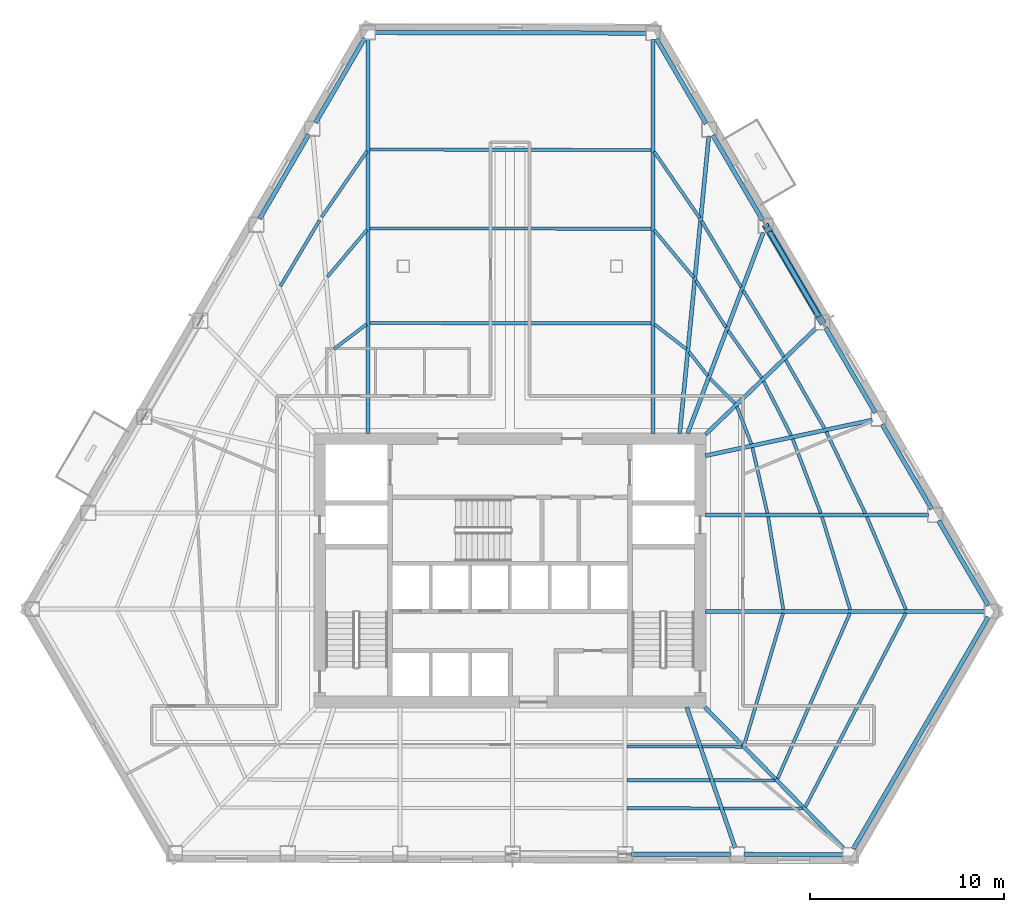
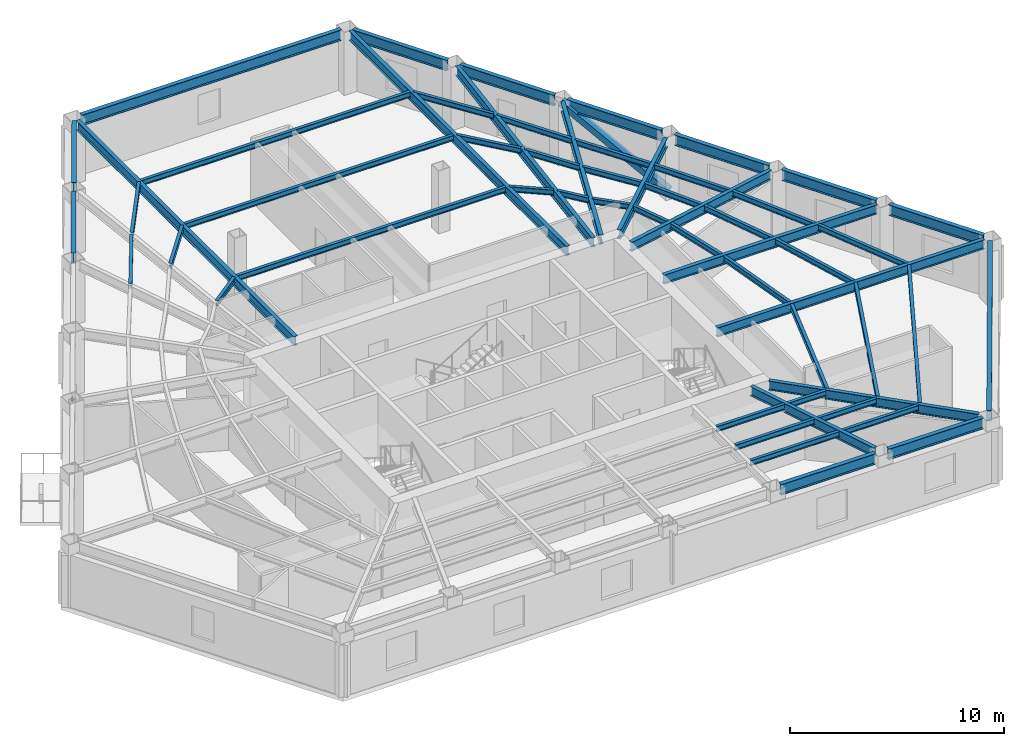
# One storey, part 2 of 11: 56 beams, 1 member.
"""IFC4 building model written with IfcOpenShell, lengths in metres."""

import ifcopenshell
import ifcopenshell.guid

model = None  # the IFC model being written
_history = None  # IfcOwnerHistory: only IFC2X3 demands one
_inside = {}  # id of a spatial element -> (the spatial element, [elements in it])
_under = {}  # id of a project, library or spatial element -> (it, [spatial elements below it])
_declared = {}  # id of a project -> (the project, [libraries it declares])
_typed = {}  # id of a type object -> (the type object, [elements of that type])
_made_of = {}  # id of a material, layer set ... -> (it, [elements and type objects made of it])


def new_model(schema):
    """Start an empty IFC model of exactly this schema.

    Asked for "IFC4X3", IfcOpenShell would pick the latest addendum, in which some entities
    have other attributes; the version numbers below select the first issue.
    IFC2X3 requires an IfcOwnerHistory on every rooted entity: one is made here for all.
    """
    global model, _history
    if schema == "IFC4X3":
        model = ifcopenshell.file(schema_version=(4, 3, 0, 0))
    else:
        model = ifcopenshell.file(schema=schema)
    _inside.clear()
    _under.clear()
    _declared.clear()
    _typed.clear()
    _made_of.clear()
    _history = None
    if model.schema == "IFC2X3":
        org = make("IfcOrganization", Name="unknown")
        user = make(
            "IfcPersonAndOrganization",
            ThePerson=make("IfcPerson", FamilyName="unknown"),
            TheOrganization=org,
        )
        app = make(
            "IfcApplication",
            ApplicationDeveloper=org,
            Version="unknown",
            ApplicationFullName="unknown",
            ApplicationIdentifier="unknown",
        )
        _history = make(
            "IfcOwnerHistory",
            OwningUser=user,
            OwningApplication=app,
            ChangeAction="ADDED",
            CreationDate=0,
        )
    return model


def make(cls, **values):
    """One entity of the class cls with the attributes given. An attribute that is None is left unset."""
    return model.create_entity(
        cls, **{name: value for name, value in values.items() if value is not None}
    )


def rooted(cls, **values):
    """An entity with a GlobalId (a new one), such as an element, a storey or a relation."""
    return make(cls, GlobalId=ifcopenshell.guid.new(), OwnerHistory=_history, **values)


def si_unit(unit_type, name, prefix=None):
    """IfcSIUnit, for example si_unit("LENGTHUNIT", "METRE", prefix="MILLI")."""
    return make("IfcSIUnit", UnitType=unit_type, Prefix=prefix, Name=name)


def assignment(units):
    """IfcUnitAssignment: the units of a project."""
    return None if units is None else make("IfcUnitAssignment", Units=units)


def point(xyz):
    """IfcCartesianPoint."""
    return None if xyz is None else make("IfcCartesianPoint", Coordinates=xyz)


def direction(xyz):
    """IfcDirection."""
    return None if xyz is None else make("IfcDirection", DirectionRatios=xyz)


def frame(location, z_axis=None, x_axis=None):
    """IfcAxis2Placement3D, a coordinate frame: its origin and axes. An axis left out is left unset."""
    return make(
        "IfcAxis2Placement3D",
        Location=point(location),
        Axis=direction(z_axis),
        RefDirection=direction(x_axis),
    )


def frame_2d(location, x_axis=None):
    """IfcAxis2Placement2D, a coordinate frame in the plane: its origin and x axis."""
    return make(
        "IfcAxis2Placement2D", Location=point(location), RefDirection=direction(x_axis)
    )


def origin():
    """The frame at (0, 0, 0) with its axes left unset."""
    return frame((0.0, 0.0, 0.0))


def origin_2d():
    """The frame at (0, 0) in the plane with its x axis left unset."""
    return frame_2d((0.0, 0.0))


def place(relative_to, where):
    """IfcLocalPlacement: puts the frame where relative to a parent placement (None: the world)."""
    return make(
        "IfcLocalPlacement", PlacementRelTo=relative_to, RelativePlacement=where
    )


def context(
    kind, dimensions, precision=None, world=None, true_north=None, identifier=None
):
    """IfcGeometricRepresentationContext, for example the 3D "Model" context."""
    return make(
        "IfcGeometricRepresentationContext",
        ContextIdentifier=identifier,
        ContextType=kind,
        CoordinateSpaceDimension=dimensions,
        Precision=precision,
        WorldCoordinateSystem=world,
        TrueNorth=true_north,
    )


def subcontext(parent, identifier, kind, view, scale=None):
    """IfcGeometricRepresentationSubContext, for example "Body" below "Model"."""
    return make(
        "IfcGeometricRepresentationSubContext",
        ContextIdentifier=identifier,
        ContextType=kind,
        ParentContext=parent,
        TargetScale=scale,
        TargetView=view,
    )


def project(units=None, contexts=None):
    """IfcProject with its units and contexts."""
    return rooted(
        "IfcProject",
        Name="project",
        RepresentationContexts=contexts,
        UnitsInContext=assignment(units),
    )


def spatial(cls, under=None, at=None, **own):
    """A site, building, storey or space (cls), placed at a placement, below another one or the project."""
    s = rooted(cls, ObjectPlacement=at, **own)
    if under is not None:
        _under.setdefault(under.id(), (under, []))[1].append(s)
    return s


def profile(cls, at=None, kind="AREA", **sizes):
    """A parametric profile (cls). Its sizes go by their IFC names, for example OverallWidth=200.0."""
    return make(cls, ProfileType=kind, Position=at, **sizes)


def hollow_rectangle(**sizes):
    """IfcRectangleHollowProfileDef."""
    return profile("IfcRectangleHollowProfileDef", **sizes)


def i_section(**sizes):
    """IfcIShapeProfileDef."""
    return profile("IfcIShapeProfileDef", **sizes)


def extrude(swept, where, along, depth):
    """IfcExtrudedAreaSolid: the profile swept, set in the frame where, extruded along a direction by depth."""
    return make(
        "IfcExtrudedAreaSolid",
        SweptArea=swept,
        Position=where,
        ExtrudedDirection=direction(along),
        Depth=depth,
    )


def shape(context_of_items, identifier, shape_type, items):
    """IfcShapeRepresentation: the items that make up one representation, for example the "Body"."""
    return make(
        "IfcShapeRepresentation",
        ContextOfItems=context_of_items,
        RepresentationIdentifier=identifier,
        RepresentationType=shape_type,
        Items=items,
    )


def material(Name=None, Category=None):
    """IfcMaterial."""
    return make("IfcMaterial", Name=Name, Category=Category)


def material_profile(
    of_material, cross_section, Name=None, Category=None, Priority=None
):
    """IfcMaterialProfile: a cross section and its material."""
    return make(
        "IfcMaterialProfile",
        Name=Name,
        Material=of_material,
        Profile=cross_section,
        Priority=Priority,
        Category=Category,
    )


def profile_set(profiles, Name=None, composite=None):
    """IfcMaterialProfileSet."""
    return make(
        "IfcMaterialProfileSet",
        Name=Name,
        MaterialProfiles=profiles,
        CompositeProfile=composite,
    )


def made_of(thing, what):
    """Note that an element or type object is made of a material, layer set ...; save() writes the relation."""
    if what is not None:
        _made_of.setdefault(what.id(), (what, []))[1].append(thing)
    return thing


def type_object(cls, material=None, **own):
    """A type object (cls), such as IfcWallType, which elements share."""
    return made_of(rooted(cls, **own), material)


def element(
    cls,
    number,
    at=None,
    inside=None,
    cuts=None,
    type_object=None,
    material=None,
    context=None,
    identifier="Body",
    shape_type=None,
    held_by="IfcProductDefinitionShape",
    body=None,
    shapes=None,
    **own,
):
    """One element of the class cls, such as IfcWall. Its Tag is "e" and its number.

    at: its placement. inside: the storey or other place that contains it. cuts: it is an
    opening in that element (IfcRelVoidsElement). A single representation is given by context,
    identifier, shape_type and body (its items); several are given by shapes. held_by: the class
    of the entity that holds the representations. save() writes the other relations.
    """
    e = rooted(cls, Tag="e%d" % number, ObjectPlacement=at, **own)
    if body is not None:
        shapes = [shape(context, identifier, shape_type, body)]
    if shapes is not None:
        e.Representation = make(held_by, Representations=shapes)
    if inside is not None:
        _inside.setdefault(inside.id(), (inside, []))[1].append(e)
    if cuts is not None:
        rooted(
            "IfcRelVoidsElement", RelatingBuildingElement=cuts, RelatedOpeningElement=e
        )
    if type_object is not None:
        _typed.setdefault(type_object.id(), (type_object, []))[1].append(e)
    return made_of(e, material)


def aggregate(whole, parts):
    """IfcRelAggregates: a whole, such as a stair, and the parts it consists of."""
    return rooted("IfcRelAggregates", RelatingObject=whole, RelatedObjects=parts)


def save(model, path):
    """Write the relations noted so far, then the file.

    IfcRelAggregates (storeys below a building ...), IfcRelContainedInSpatialStructure (elements
    in a storey), IfcRelDefinesByType, IfcRelAssociatesMaterial and IfcRelDeclares: one each for
    every whole, place, type object, material and project.
    """
    for whole, parts in _under.values():
        aggregate(whole, parts)
    for where, things in _inside.values():
        rooted(
            "IfcRelContainedInSpatialStructure",
            RelatedElements=things,
            RelatingStructure=where,
        )
    for kind, things in _typed.values():
        rooted("IfcRelDefinesByType", RelatedObjects=things, RelatingType=kind)
    for what, things in _made_of.values():
        rooted("IfcRelAssociatesMaterial", RelatedObjects=things, RelatingMaterial=what)
    for by, libraries in _declared.values():
        rooted("IfcRelDeclares", RelatingContext=by, RelatedDefinitions=libraries)
    model.write(path)


model = new_model("IFC4")

# Units and contexts
model_context = context("Model", 3, precision=1e-05, world=origin(), true_north=direction((0.0, 1.0)))
body_context = subcontext(model_context, "Body", "Model", "MODEL_VIEW")
ifc_project = project(units=[si_unit("LENGTHUNIT", "METRE"), si_unit("AREAUNIT", "SQUARE_METRE"), si_unit("VOLUMEUNIT", "CUBIC_METRE"), si_unit("PLANEANGLEUNIT", "RADIAN"), si_unit("MASSUNIT", "GRAM", prefix="KILO")], contexts=[model_context])

# Site, building, storey
site_placement = place(None, origin())
site = spatial("IfcSite", under=ifc_project, at=site_placement, CompositionType="ELEMENT")
building_placement = place(site_placement, origin())
building = spatial("IfcBuilding", under=site, at=building_placement, Name="Kavelnor Concourse Tower", CompositionType="ELEMENT")
storey_placement = place(building_placement, frame((0.0, 0.0, 56.050048828125)))
storey = spatial("IfcBuildingStorey", under=building, at=storey_placement, Name="L14", CompositionType="ELEMENT", Elevation=56.050048828125)

# Beams
ifc_material = material(Name="Steel Grade 350", Category="steel")
ifc_material_profile_1 = material_profile(ifc_material, i_section(OverallWidth=0.166015625, OverallDepth=0.306884765625, WebThickness=0.006591796875, FlangeThickness=0.01171875, at=origin_2d()), Name="310UB46")
ifc_profile_set_1 = profile_set([ifc_material_profile_1], Name="Steel Grade 350")
beam_type_1 = type_object("IfcBeamType", Name="BM-JOIST-310", PredefinedType="JOIST", material=ifc_profile_set_1)
beam_1_placement = place(storey_placement, frame((44.03662109375, 7.00927734375, 3.4365234375), z_axis=(0.999999209207, -0.001257610867, 0.0), x_axis=(0.001257610867, 0.999999209207, 0.0)))
element("IfcBeam", 1, at=beam_1_placement, inside=storey, type_object=beam_type_1, Name="L14 Secondary Composite Joist 06-1", PredefinedType="JOIST", context=body_context, shape_type="SweptSolid", body=[
    extrude(i_section(OverallWidth=0.166015625, OverallDepth=0.306884765625, WebThickness=0.006591796875, FlangeThickness=0.01171875, at=origin_2d()), origin(), (0.0, 0.0, 1.0), 3.6884765625),
])
beam_2_placement = place(storey_placement, frame((44.03662109375, 5.268798828125, 3.4365234375), z_axis=(0.999998729603, -0.001593986362, 0.0), x_axis=(0.001593986362, 0.999998729603, 0.0)))
element("IfcBeam", 2, at=beam_2_placement, inside=storey, type_object=beam_type_1, Name="L14 Secondary Composite Joist 06-2", PredefinedType="JOIST", context=body_context, shape_type="SweptSolid", body=[
    extrude(i_section(OverallWidth=0.166015625, OverallDepth=0.306884765625, WebThickness=0.006591796875, FlangeThickness=0.01171875, at=origin_2d()), origin(), (0.0, 0.0, 1.0), 4.28857421875),
])
beam_3_placement = place(storey_placement, frame((44.03662109375, 3.818359375, 3.4365234375), z_axis=(0.999998408054, -0.001784345872, 0.0), x_axis=(0.001784345872, 0.999998408054, 0.0)))
element("IfcBeam", 3, at=beam_3_placement, inside=storey, type_object=beam_type_1, Name="L14 Secondary Composite Joist 06-3", PredefinedType="JOIST", context=body_context, shape_type="SweptSolid", body=[
    extrude(i_section(OverallWidth=0.166015625, OverallDepth=0.306884765625, WebThickness=0.006591796875, FlangeThickness=0.01171875, at=origin_2d()), origin(), (0.0, 0.0, 1.0), 4.788818359375),
])
beam_4_placement = place(storey_placement, frame((47.922119140625, 7.00439453125, 3.4365234375), z_axis=(0.999993575177, -0.003584634634, 0.0), x_axis=(0.003584634634, 0.999993575177, 0.0)))
element("IfcBeam", 4, at=beam_4_placement, inside=storey, type_object=beam_type_1, Name="L14 Secondary Composite Joist 07-1", PredefinedType="JOIST", context=body_context, shape_type="SweptSolid", body=[
    extrude(i_section(OverallWidth=0.166015625, OverallDepth=0.306884765625, WebThickness=0.006591796875, FlangeThickness=0.01171875, at=origin_2d()), origin(), (0.0, 0.0, 1.0), 2.043212890625),
])
beam_5_placement = place(storey_placement, frame((48.522216796875, 5.26171875, 3.4365234375), z_axis=(0.999997976415, -0.002011756994, 0.0), x_axis=(0.002011756994, 0.999997976415, 0.0)))
element("IfcBeam", 5, at=beam_5_placement, inside=storey, type_object=beam_type_1, Name="L14 Secondary Composite Joist 07-2", PredefinedType="JOIST", context=body_context, shape_type="SweptSolid", body=[
    extrude(i_section(OverallWidth=0.166015625, OverallDepth=0.306884765625, WebThickness=0.006591796875, FlangeThickness=0.01171875, at=origin_2d()), origin(), (0.0, 0.0, 1.0), 3.1552734375),
])
beam_6_placement = place(storey_placement, frame((49.0224609375, 3.8095703125, 3.4365234375), z_axis=(0.99999905364, -0.001375761349, 0.0), x_axis=(0.001375761349, 0.99999905364, 0.0)))
element("IfcBeam", 6, at=beam_6_placement, inside=storey, type_object=beam_type_1, Name="L14 Secondary Composite Joist 07-3", PredefinedType="JOIST", context=body_context, shape_type="SweptSolid", body=[
    extrude(i_section(OverallWidth=0.166015625, OverallDepth=0.306884765625, WebThickness=0.006591796875, FlangeThickness=0.01171875, at=origin_2d()), origin(), (0.0, 0.0, 1.0), 4.08154296875),
])
beam_7_placement = place(storey_placement, frame((50.091796875, 7.09130859375, 3.4365234375), z_axis=(0.282830393878, 0.959169937133, 0.0), x_axis=(-0.959169937133, 0.282830393878, 0.0)))
element("IfcBeam", 7, at=beam_7_placement, inside=storey, type_object=beam_type_1, Name="L14 Secondary Composite Joist 08-1", PredefinedType="JOIST", context=body_context, shape_type="SweptSolid", body=[
    extrude(i_section(OverallWidth=0.166015625, OverallDepth=0.306884765625, WebThickness=0.006591796875, FlangeThickness=0.01171875, at=origin_2d()), origin(), (0.0, 0.0, 1.0), 7.085205078125),
])
beam_8_placement = place(storey_placement, frame((51.815185546875, 5.345458984375, 3.4365234375), z_axis=(0.400461761104, 0.916313471413, 0.0), x_axis=(-0.916313471413, 0.400461761104, 0.0)))
element("IfcBeam", 8, at=beam_8_placement, inside=storey, type_object=beam_type_1, Name="L14 Secondary Composite Joist 08-2", PredefinedType="JOIST", context=body_context, shape_type="SweptSolid", body=[
    extrude(i_section(OverallWidth=0.166015625, OverallDepth=0.306884765625, WebThickness=0.006591796875, FlangeThickness=0.01171875, at=origin_2d()), origin(), (0.0, 0.0, 1.0), 9.326416015625),
])
beam_9_placement = place(storey_placement, frame((53.247802734375, 3.891357421875, 3.4365234375), z_axis=(0.460167886198, 0.887831919066, 0.0), x_axis=(-0.887831919066, 0.460167886198, 0.0)))
element("IfcBeam", 9, at=beam_9_placement, inside=storey, type_object=beam_type_1, Name="L14 Secondary Composite Joist 08-3", PredefinedType="JOIST", context=body_context, shape_type="SweptSolid", body=[
    extrude(i_section(OverallWidth=0.166015625, OverallDepth=0.306884765625, WebThickness=0.006591796875, FlangeThickness=0.01171875, at=origin_2d()), origin(), (0.0, 0.0, 1.0), 11.2666015625),
])
beam_10_placement = place(storey_placement, frame((52.107666015625, 14.078857421875, 3.4365234375), z_axis=(-0.161832153037, 0.986818298494, 0.0), x_axis=(-0.986818298494, -0.161832153037, 0.0)))
element("IfcBeam", 10, at=beam_10_placement, inside=storey, type_object=beam_type_1, Name="L14 Secondary Composite Joist 09-1", PredefinedType="JOIST", context=body_context, shape_type="SweptSolid", body=[
    extrude(i_section(OverallWidth=0.166015625, OverallDepth=0.306884765625, WebThickness=0.006591796875, FlangeThickness=0.01171875, at=origin_2d()), origin(), (0.0, 0.0, 1.0), 4.84423828125),
])
beam_11_placement = place(storey_placement, frame((55.560791015625, 14.075927734375, 3.4365234375), z_axis=(-0.29130723817, 0.956629548462, 0.0), x_axis=(-0.956629548462, -0.29130723817, 0.0)))
element("IfcBeam", 11, at=beam_11_placement, inside=storey, type_object=beam_type_1, Name="L14 Secondary Composite Joist 09-2", PredefinedType="JOIST", context=body_context, shape_type="SweptSolid", body=[
    extrude(i_section(OverallWidth=0.166015625, OverallDepth=0.306884765625, WebThickness=0.006591796875, FlangeThickness=0.01171875, at=origin_2d()), origin(), (0.0, 0.0, 1.0), 5.00341796875),
])
beam_12_placement = place(storey_placement, frame((58.439453125, 14.072509765625, 3.4365234375), z_axis=(-0.388531161787, 0.921435584466, 0.0), x_axis=(-0.921435584466, -0.388531161787, 0.0)))
element("IfcBeam", 12, at=beam_12_placement, inside=storey, type_object=beam_type_1, Name="L14 Secondary Composite Joist 09-3", PredefinedType="JOIST", context=body_context, shape_type="SweptSolid", body=[
    extrude(i_section(OverallWidth=0.166015625, OverallDepth=0.306884765625, WebThickness=0.006591796875, FlangeThickness=0.01171875, at=origin_2d()), origin(), (0.0, 0.0, 1.0), 5.20166015625),
])
beam_13_placement = place(storey_placement, frame((51.285888671875, 19.052490234375, 3.4365234375), z_axis=(-0.222457776584, 0.974942325288, 0.0), x_axis=(-0.974942325288, -0.222457776584, 0.0)))
element("IfcBeam", 13, at=beam_13_placement, inside=storey, type_object=beam_type_1, Name="L14 Secondary Composite Joist 10-1", PredefinedType="JOIST", context=body_context, shape_type="SweptSolid", body=[
    extrude(i_section(OverallWidth=0.166015625, OverallDepth=0.306884765625, WebThickness=0.006591796875, FlangeThickness=0.01171875, at=origin_2d()), origin(), (0.0, 0.0, 1.0), 3.468017578125),
])
beam_14_placement = place(storey_placement, frame((54.039794921875, 19.048583984375, 3.4365234375), z_axis=(-0.352939090987, 0.935646299653, 0.0), x_axis=(-0.935646299653, -0.352939090987, 0.0)))
element("IfcBeam", 14, at=beam_14_placement, inside=storey, type_object=beam_type_1, Name="L14 Secondary Composite Joist 10-2", PredefinedType="JOIST", context=body_context, shape_type="SweptSolid", body=[
    extrude(i_section(OverallWidth=0.166015625, OverallDepth=0.306884765625, WebThickness=0.006591796875, FlangeThickness=0.01171875, at=origin_2d()), origin(), (0.0, 0.0, 1.0), 4.094970703125),
])
beam_15_placement = place(storey_placement, frame((56.337646484375, 19.04541015625, 3.4365234375), z_axis=(-0.431546256258, 0.90209080957, 0.0), x_axis=(-0.90209080957, -0.431546256258, 0.0)))
element("IfcBeam", 15, at=beam_15_placement, inside=storey, type_object=beam_type_1, Name="L14 Secondary Composite Joist 10-3", PredefinedType="JOIST", context=body_context, shape_type="SweptSolid", body=[
    extrude(i_section(OverallWidth=0.166015625, OverallDepth=0.306884765625, WebThickness=0.006591796875, FlangeThickness=0.01171875, at=origin_2d()), origin(), (0.0, 0.0, 1.0), 4.663818359375),
])
beam_16_placement = place(storey_placement, frame((50.457275390625, 22.62158203125, 3.4365234375), z_axis=(-0.358693766631, 0.933455291795, 0.0), x_axis=(-0.933455291795, -0.358693766631, 0.0)))
element("IfcBeam", 16, at=beam_16_placement, inside=storey, type_object=beam_type_1, Name="L14 Secondary Composite Joist 11-1", PredefinedType="JOIST", context=body_context, shape_type="SweptSolid", body=[
    extrude(i_section(OverallWidth=0.166015625, OverallDepth=0.306884765625, WebThickness=0.006591796875, FlangeThickness=0.01171875, at=origin_2d()), origin(), (0.0, 0.0, 1.0), 2.064453125),
])
beam_17_placement = place(storey_placement, frame((52.51513671875, 23.060302734375, 3.4365234375), z_axis=(-0.453539497756, 0.891236177439, 0.0), x_axis=(-0.891236177439, -0.453539497756, 0.0)))
element("IfcBeam", 17, at=beam_17_placement, inside=storey, type_object=beam_type_1, Name="L14 Secondary Composite Joist 11-2", PredefinedType="JOIST", context=body_context, shape_type="SweptSolid", body=[
    extrude(i_section(OverallWidth=0.166015625, OverallDepth=0.306884765625, WebThickness=0.006591796875, FlangeThickness=0.01171875, at=origin_2d()), origin(), (0.0, 0.0, 1.0), 3.1435546875),
])
beam_18_placement = place(storey_placement, frame((54.23388671875, 23.427001953125, 3.4365234375), z_axis=(-0.494018710794, 0.869451271427, 0.0), x_axis=(-0.869451271427, -0.494018710794, 0.0)))
element("IfcBeam", 18, at=beam_18_placement, inside=storey, type_object=beam_type_1, Name="L14 Secondary Composite Joist 11-3", PredefinedType="JOIST", context=body_context, shape_type="SweptSolid", body=[
    extrude(i_section(OverallWidth=0.166015625, OverallDepth=0.306884765625, WebThickness=0.006591796875, FlangeThickness=0.01171875, at=origin_2d()), origin(), (0.0, 0.0, 1.0), 4.057861328125),
])
beam_19_placement = place(storey_placement, frame((49.612060546875, 24.71044921875, 3.4365234375), z_axis=(-0.70427380127, 0.709928456145, 0.0), x_axis=(-0.709928456145, -0.70427380127, 0.0)))
element("IfcBeam", 19, at=beam_19_placement, inside=storey, type_object=beam_type_1, Name="L14 Secondary Composite Joist 12-1", PredefinedType="JOIST", context=body_context, shape_type="SweptSolid", body=[
    extrude(i_section(OverallWidth=0.166015625, OverallDepth=0.306884765625, WebThickness=0.006591796875, FlangeThickness=0.01171875, at=origin_2d()), origin(), (0.0, 0.0, 1.0), 1.8134765625),
])
beam_20_placement = place(storey_placement, frame((50.98779296875, 26.0302734375, 3.4365234375), z_axis=(-0.576679997451, 0.816970122183, 0.0), x_axis=(-0.816970122183, -0.576679997451, 0.0)))
element("IfcBeam", 20, at=beam_20_placement, inside=storey, type_object=beam_type_1, Name="L14 Secondary Composite Joist 12-2", PredefinedType="JOIST", context=body_context, shape_type="SweptSolid", body=[
    extrude(i_section(OverallWidth=0.166015625, OverallDepth=0.306884765625, WebThickness=0.006591796875, FlangeThickness=0.01171875, at=origin_2d()), origin(), (0.0, 0.0, 1.0), 2.995361328125),
])
beam_21_placement = place(storey_placement, frame((52.129150390625, 27.125, 3.4365234375), z_axis=(-0.521467238216, 0.853271304725, 0.0), x_axis=(-0.853271304725, -0.521467238216, 0.0)))
element("IfcBeam", 21, at=beam_21_placement, inside=storey, type_object=beam_type_1, Name="L14 Secondary Composite Joist 12-3", PredefinedType="JOIST", context=body_context, shape_type="SweptSolid", body=[
    extrude(i_section(OverallWidth=0.166015625, OverallDepth=0.306884765625, WebThickness=0.006591796875, FlangeThickness=0.01171875, at=origin_2d()), origin(), (0.0, 0.0, 1.0), 4.01220703125),
])
beam_22_placement = place(storey_placement, frame((48.205078125, 26.1455078125, 3.4365234375), z_axis=(-0.614070085086, 0.789251500222, 0.0), x_axis=(-0.789251500222, -0.614070085086, 0.0)))
element("IfcBeam", 22, at=beam_22_placement, inside=storey, type_object=beam_type_1, Name="L14 Secondary Composite Joist 13-1", PredefinedType="JOIST", context=body_context, shape_type="SweptSolid", body=[
    extrude(i_section(OverallWidth=0.166015625, OverallDepth=0.306884765625, WebThickness=0.006591796875, FlangeThickness=0.01171875, at=origin_2d()), origin(), (0.0, 0.0, 1.0), 1.56640625),
])
beam_23_placement = place(storey_placement, frame((49.150390625, 28.640625, 3.4365234375), z_axis=(-0.540264304654, 0.841495383895, 0.0), x_axis=(-0.841495383895, -0.540264304654, 0.0)))
element("IfcBeam", 23, at=beam_23_placement, inside=storey, type_object=beam_type_1, Name="L14 Secondary Composite Joist 13-2", PredefinedType="JOIST", context=body_context, shape_type="SweptSolid", body=[
    extrude(i_section(OverallWidth=0.166015625, OverallDepth=0.306884765625, WebThickness=0.006591796875, FlangeThickness=0.01171875, at=origin_2d()), origin(), (0.0, 0.0, 1.0), 2.877197265625),
])
beam_24_placement = place(storey_placement, frame((49.934814453125, 30.71728515625, 3.4365234375), z_axis=(-0.513240571721, 0.858244787656, 0.0), x_axis=(-0.858244787656, -0.513240571721, 0.0)))
element("IfcBeam", 24, at=beam_24_placement, inside=storey, type_object=beam_type_1, Name="L14 Secondary Composite Joist 13-3", PredefinedType="JOIST", context=body_context, shape_type="SweptSolid", body=[
    extrude(i_section(OverallWidth=0.166015625, OverallDepth=0.306884765625, WebThickness=0.006591796875, FlangeThickness=0.01171875, at=origin_2d()), origin(), (0.0, 0.0, 1.0), 3.977783203125),
])
beam_25_placement = place(storey_placement, frame((47.104736328125, 27.519775390625, 3.4365234375), z_axis=(-0.79086122664, 0.611995523021, 0.0), x_axis=(-0.611995523021, -0.79086122664, 0.0)))
element("IfcBeam", 25, at=beam_25_placement, inside=storey, type_object=beam_type_1, Name="L14 Secondary Composite Joist 14-1", PredefinedType="JOIST", context=body_context, shape_type="SweptSolid", body=[
    extrude(i_section(OverallWidth=0.166015625, OverallDepth=0.306884765625, WebThickness=0.006591796875, FlangeThickness=0.01171875, at=origin_2d()), origin(), (0.0, 0.0, 1.0), 2.078857421875),
])
beam_26_placement = place(storey_placement, frame((47.4794921875, 31.22021484375, 3.4365234375), z_axis=(-0.640857719628, 0.767659679281, 0.0), x_axis=(-0.767659679281, -0.640857719628, 0.0)))
element("IfcBeam", 26, at=beam_26_placement, inside=storey, type_object=beam_type_1, Name="L14 Secondary Composite Joist 14-2", PredefinedType="JOIST", context=body_context, shape_type="SweptSolid", body=[
    extrude(i_section(OverallWidth=0.166015625, OverallDepth=0.306884765625, WebThickness=0.006591796875, FlangeThickness=0.01171875, at=origin_2d()), origin(), (0.0, 0.0, 1.0), 3.173095703125),
])
beam_27_placement = place(storey_placement, frame((47.786865234375, 34.296875, 3.4365234375), z_axis=(-0.566084114445, 0.824347484604, 0.0), x_axis=(-0.824347484604, -0.566084114445, 0.0)))
element("IfcBeam", 27, at=beam_27_placement, inside=storey, type_object=beam_type_1, Name="L14 Secondary Composite Joist 14-3", PredefinedType="JOIST", context=body_context, shape_type="SweptSolid", body=[
    extrude(i_section(OverallWidth=0.166015625, OverallDepth=0.306884765625, WebThickness=0.006591796875, FlangeThickness=0.01171875, at=origin_2d()), origin(), (0.0, 0.0, 1.0), 4.14794921875),
])
for number, where, z_axis, x_axis, name in (
    (28, (45.284423828125, 28.852294921875, 3.4365234375), (-0.999999773411, 0.000673185192, 0.0), (-0.000673185192, -0.999999773411, 0.0), "L14 Secondary Composite Joist 15-1"),
    (29, (45.284423828125, 33.731689453125, 3.4365234375), (-0.999999245317, 0.001228562327, 0.0), (-0.001228562327, -0.999999245317, 0.0), "L14 Secondary Composite Joist 15-2"),
    (30, (45.284423828125, 37.797607421875, 3.4365234375), (-0.999998555355, 0.00169979054, 0.0), (-0.00169979054, -0.999998555355, 0.0), "L14 Secondary Composite Joist 15-3"),
):
    element("IfcBeam", number, at=place(storey_placement, frame(where, z_axis=z_axis, x_axis=x_axis)), inside=storey, type_object=beam_type_1, Name=name, PredefinedType="JOIST", context=body_context, shape_type="SweptSolid", body=[
        extrude(i_section(OverallWidth=0.166015625, OverallDepth=0.306884765625, WebThickness=0.006591796875, FlangeThickness=0.01171875, at=origin_2d()), origin(), (0.0, 0.0, 1.0), 14.506591796875),
    ])
beam_28_placement = place(storey_placement, frame((30.600830078125, 28.802490234375, 3.4365234375), z_axis=(-0.797036253476, -0.603931461877, 0.0), x_axis=(0.603931461877, -0.797036253476, 0.0)))
element("IfcBeam", 31, at=beam_28_placement, inside=storey, type_object=beam_type_1, Name="L14 Secondary Composite Joist 16-1", PredefinedType="JOIST", context=body_context, shape_type="SweptSolid", body=[
    extrude(i_section(OverallWidth=0.166015625, OverallDepth=0.306884765625, WebThickness=0.006591796875, FlangeThickness=0.01171875, at=origin_2d()), origin(), (0.0, 0.0, 1.0), 2.1025390625),
])
beam_29_placement = place(storey_placement, frame((30.61572265625, 33.67431640625, 3.4365234375), z_axis=(-0.644528544345, -0.76458024793, 0.0), x_axis=(0.76458024793, -0.644528544345, 0.0)))
element("IfcBeam", 32, at=beam_29_placement, inside=storey, type_object=beam_type_1, Name="L14 Secondary Composite Joist 16-2", PredefinedType="JOIST", context=body_context, shape_type="SweptSolid", body=[
    extrude(i_section(OverallWidth=0.166015625, OverallDepth=0.306884765625, WebThickness=0.006591796875, FlangeThickness=0.01171875, at=origin_2d()), origin(), (0.0, 0.0, 1.0), 3.176513671875),
])
beam_30_placement = place(storey_placement, frame((30.623291015625, 37.7412109375, 3.4365234375), z_axis=(-0.567079429348, -0.823663111235, 0.0), x_axis=(0.823663111235, -0.567079429348, 0.0)))
element("IfcBeam", 33, at=beam_30_placement, inside=storey, type_object=beam_type_1, Name="L14 Secondary Composite Joist 16-3", PredefinedType="JOIST", context=body_context, shape_type="SweptSolid", body=[
    extrude(i_section(OverallWidth=0.166015625, OverallDepth=0.306884765625, WebThickness=0.006591796875, FlangeThickness=0.01171875, at=origin_2d()), origin(), (0.0, 0.0, 1.0), 4.13916015625),
])
beam_31_placement = place(storey_placement, frame((28.169921875, 34.166259765625, 3.4365234375), z_axis=(-0.511118485936, -0.859510263658, 0.0), x_axis=(0.859510263658, -0.511118485936, 0.0)))
element("IfcBeam", 34, at=beam_31_placement, inside=storey, type_object=beam_type_1, Name="L14 Secondary Composite Joist 17-3", PredefinedType="JOIST", context=body_context, shape_type="SweptSolid", body=[
    extrude(i_section(OverallWidth=0.166015625, OverallDepth=0.306884765625, WebThickness=0.006591796875, FlangeThickness=0.01171875, at=origin_2d()), origin(), (0.0, 0.0, 1.0), 3.959228515625),
])
ifc_material_profile_2 = material_profile(ifc_material, i_section(OverallWidth=0.208984375, OverallDepth=0.528076171875, WebThickness=0.009521484375, FlangeThickness=0.01318359375, at=origin_2d()), Name="530UB82")
ifc_profile_set_2 = profile_set([ifc_material_profile_2], Name="Steel Grade 350")
beam_type_2 = type_object("IfcBeamType", Name="BM-PRIMARY-530", PredefinedType="BEAM", material=ifc_profile_set_2)
beam_32_placement = place(storey_placement, frame((30.67919921875, 23.159912109375, 3.325927734375), z_axis=(0.0, 1.0, 0.0), x_axis=(-1.0, 0.0, 0.0)))
element("IfcBeam", 35, at=beam_32_placement, inside=storey, type_object=beam_type_2, Name="L14 Primary Floor Girder F0-B0", PredefinedType="BEAM", context=body_context, shape_type="SweptSolid", body=[
    extrude(i_section(OverallWidth=0.208984375, OverallDepth=0.528076171875, WebThickness=0.009521484375, FlangeThickness=0.01318359375, at=origin_2d()), origin(), (0.0, 0.0, 1.0), 20.364501953125),
])
beam_33_placement = place(storey_placement, frame((47.12353515625, 9.037841796875, 3.325927734375), z_axis=(0.325587019458, -0.945512079648, 0.0), x_axis=(0.945512079648, 0.325587019458, 0.0)))
element("IfcBeam", 36, at=beam_33_placement, inside=storey, type_object=beam_type_2, Name="L14 Primary Floor Girder F1-B5", PredefinedType="BEAM", context=body_context, shape_type="SweptSolid", body=[
    extrude(i_section(OverallWidth=0.208984375, OverallDepth=0.528076171875, WebThickness=0.009521484375, FlangeThickness=0.01318359375, at=origin_2d()), origin(), (0.0, 0.0, 1.0), 7.679931640625),
])
beam_34_placement = place(storey_placement, frame((48.06640625, 9.028564453125, 3.325927734375), z_axis=(0.701034839662, -0.713127024856, 0.0), x_axis=(0.713127024856, 0.701034839662, 0.0)))
element("IfcBeam", 37, at=beam_34_placement, inside=storey, type_object=beam_type_2, Name="L14 Primary Floor Girder F1-B6", PredefinedType="BEAM", context=body_context, shape_type="SweptSolid", body=[
    extrude(i_section(OverallWidth=0.208984375, OverallDepth=0.528076171875, WebThickness=0.009521484375, FlangeThickness=0.01318359375, at=origin_2d()), origin(), (0.0, 0.0, 1.0), 10.17578125),
])
beam_35_placement = place(storey_placement, frame((48.080078125, 13.981689453125, 3.325927734375), z_axis=(1.0, 0.0, 0.0), x_axis=(0.0, 1.0, 0.0)))
element("IfcBeam", 38, at=beam_35_placement, inside=storey, type_object=beam_type_2, Name="L14 Primary Floor Girder F2-B0", PredefinedType="BEAM", context=body_context, shape_type="SweptSolid", body=[
    extrude(i_section(OverallWidth=0.208984375, OverallDepth=0.528076171875, WebThickness=0.009521484375, FlangeThickness=0.01318359375, at=origin_2d()), origin(), (0.0, 0.0, 1.0), 14.441162109375),
])
beam_36_placement = place(storey_placement, frame((48.080078125, 18.956298828125, 3.325927734375), z_axis=(1.0, 0.0, 0.0), x_axis=(0.0, 1.0, 0.0)))
element("IfcBeam", 39, at=beam_36_placement, inside=storey, type_object=beam_type_2, Name="L14 Primary Floor Girder F2-B1", PredefinedType="BEAM", context=body_context, shape_type="SweptSolid", body=[
    extrude(i_section(OverallWidth=0.208984375, OverallDepth=0.528076171875, WebThickness=0.009521484375, FlangeThickness=0.01318359375, at=origin_2d()), origin(), (0.0, 0.0, 1.0), 11.528076171875),
])
beam_37_placement = place(storey_placement, frame((48.080810546875, 22.012939453125, 3.325927734375), z_axis=(0.977813769363, 0.209476090387, 0.0), x_axis=(-0.209476090387, 0.977813769363, 0.0)))
element("IfcBeam", 40, at=beam_37_placement, inside=storey, type_object=beam_type_2, Name="L14 Primary Floor Girder F2-B2", PredefinedType="BEAM", context=body_context, shape_type="SweptSolid", body=[
    extrude(i_section(OverallWidth=0.208984375, OverallDepth=0.528076171875, WebThickness=0.009521484375, FlangeThickness=0.01318359375, at=origin_2d()), origin(), (0.0, 0.0, 1.0), 8.80859375),
])
beam_38_placement = place(storey_placement, frame((48.09130859375, 23.113037109375, 3.325927734375), z_axis=(0.721208260094, 0.692718301745, 0.0), x_axis=(-0.692718301745, 0.721208260094, 0.0)))
element("IfcBeam", 41, at=beam_38_placement, inside=storey, type_object=beam_type_2, Name="L14 Primary Floor Girder F2-B3", PredefinedType="BEAM", context=body_context, shape_type="SweptSolid", body=[
    extrude(i_section(OverallWidth=0.208984375, OverallDepth=0.528076171875, WebThickness=0.009521484375, FlangeThickness=0.01318359375, at=origin_2d()), origin(), (0.0, 0.0, 1.0), 7.875244140625),
])
beam_39_placement = place(storey_placement, frame((47.1708984375, 23.16259765625, 3.325927734375), z_axis=(0.352563682907, 0.935787822904, 0.0), x_axis=(-0.935787822904, 0.352563682907, 0.0)))
element("IfcBeam", 42, at=beam_39_placement, inside=storey, type_object=beam_type_2, Name="L14 Primary Floor Girder F2-B4", PredefinedType="BEAM", context=body_context, shape_type="SweptSolid", body=[
    extrude(i_section(OverallWidth=0.208984375, OverallDepth=0.528076171875, WebThickness=0.009521484375, FlangeThickness=0.01318359375, at=origin_2d()), origin(), (0.0, 0.0, 1.0), 11.087158203125),
])
beam_40_placement = place(storey_placement, frame((46.7626953125, 23.16015625, 3.325927734375), z_axis=(0.097226896721, 0.995262242102, 0.0), x_axis=(-0.995262242102, 0.097226896721, 0.0)))
element("IfcBeam", 43, at=beam_40_placement, inside=storey, type_object=beam_type_2, Name="L14 Primary Floor Girder F2-B5", PredefinedType="BEAM", context=body_context, shape_type="SweptSolid", body=[
    extrude(i_section(OverallWidth=0.208984375, OverallDepth=0.528076171875, WebThickness=0.009521484375, FlangeThickness=0.01318359375, at=origin_2d()), origin(), (0.0, 0.0, 1.0), 15.427734375),
])
beam_41_placement = place(storey_placement, frame((45.3828125, 23.159912109375, 3.325927734375), z_axis=(0.0, 1.0, 0.0), x_axis=(-1.0, 0.0, 0.0)))
element("IfcBeam", 44, at=beam_41_placement, inside=storey, type_object=beam_type_2, Name="L14 Primary Floor Girder F2-B6", PredefinedType="BEAM", context=body_context, shape_type="SweptSolid", body=[
    extrude(i_section(OverallWidth=0.208984375, OverallDepth=0.528076171875, WebThickness=0.009521484375, FlangeThickness=0.01318359375, at=origin_2d()), origin(), (0.0, 0.0, 1.0), 20.329833984375),
])
ifc_material_profile_3 = material_profile(ifc_material, i_section(OverallWidth=0.22900390625, OverallDepth=0.612060546875, WebThickness=0.011962890625, FlangeThickness=0.01953125, at=origin_2d()), Name="610UB125")
ifc_profile_set_3 = profile_set([ifc_material_profile_3], Name="Steel Grade 350")
beam_type_3 = type_object("IfcBeamType", Name="BM-SPANDREL-Z1", PredefinedType="SPANDREL", material=ifc_profile_set_3)
beam_42_placement = place(storey_placement, frame((30.505615234375, 43.56640625, 3.283935546875), z_axis=(-0.503290805307, -0.864117101609, 0.0), x_axis=(0.864117101609, -0.503290805307, 0.0)))
element("IfcBeam", 45, at=beam_42_placement, inside=storey, type_object=beam_type_3, Name="L14 Perimeter Tube Spandrel Beam F0-B0", PredefinedType="SPANDREL", context=body_context, shape_type="SweptSolid", body=[
    extrude(i_section(OverallWidth=0.22900390625, OverallDepth=0.612060546875, WebThickness=0.011962890625, FlangeThickness=0.01953125, at=origin_2d()), origin(), (0.0, 0.0, 1.0), 5.05029296875),
])
beam_43_placement = place(storey_placement, frame((27.61669921875, 38.606201171875, 3.283935546875), z_axis=(-0.5032697819, -0.864129346004, 0.0), x_axis=(0.864129346004, -0.5032697819, 0.0)))
element("IfcBeam", 46, at=beam_43_placement, inside=storey, type_object=beam_type_3, Name="L14 Perimeter Tube Spandrel Beam F0-B1", PredefinedType="SPANDREL", context=body_context, shape_type="SweptSolid", body=[
    extrude(i_section(OverallWidth=0.22900390625, OverallDepth=0.612060546875, WebThickness=0.011962890625, FlangeThickness=0.01953125, at=origin_2d()), origin(), (0.0, 0.0, 1.0), 5.050537109375),
])
beam_44_placement = place(storey_placement, frame((45.037841796875, 43.83056640625, 3.283935546875), z_axis=(-0.999997193033, 0.002369372607, 0.0), x_axis=(-0.002369372607, -0.999997193033, 0.0)))
element("IfcBeam", 47, at=beam_44_placement, inside=storey, type_object=beam_type_3, Name="L14 Chamfer Facet Spandrel Beam C0", PredefinedType="SPANDREL", context=body_context, shape_type="SweptSolid", body=[
    extrude(i_section(OverallWidth=0.22900390625, OverallDepth=0.612060546875, WebThickness=0.011962890625, FlangeThickness=0.01953125, at=origin_2d()), origin(), (0.0, 0.0, 1.0), 14.013427734375),
])
for number, where, z_axis, x_axis, name in (
    (48, (44.283203125, 1.447021484375, 3.283935546875), (0.999997263474, -0.00233945409, 0.0), (0.00233945409, 0.999997263474, 0.0), "L14 Perimeter Tube Spandrel Beam F1-B4"),
    (49, (50.0869140625, 1.433349609375, 3.283935546875), (0.999997263474, -0.00233945409, 0.0), (0.00233945409, 0.999997263474, 0.0), "L14 Perimeter Tube Spandrel Beam F1-B5"),
):
    element("IfcBeam", number, at=place(storey_placement, frame(where, z_axis=z_axis, x_axis=x_axis)), inside=storey, type_object=beam_type_3, Name=name, PredefinedType="SPANDREL", context=body_context, shape_type="SweptSolid", body=[
        extrude(i_section(OverallWidth=0.22900390625, OverallDepth=0.612060546875, WebThickness=0.011962890625, FlangeThickness=0.01953125, at=origin_2d()), origin(), (0.0, 0.0, 1.0), 5.113525390625),
    ])
beam_45_placement = place(storey_placement, frame((62.68701171875, 14.279296875, 3.283935546875), z_axis=(-0.505347848767, 0.862915726909, 0.0), x_axis=(-0.862915726909, -0.505347848767, 0.0)))
element("IfcBeam", 50, at=beam_45_placement, inside=storey, type_object=beam_type_3, Name="L14 Perimeter Tube Spandrel Beam F2-B0", PredefinedType="SPANDREL", context=body_context, shape_type="SweptSolid", body=[
    extrude(i_section(OverallWidth=0.22900390625, OverallDepth=0.612060546875, WebThickness=0.011962890625, FlangeThickness=0.01953125, at=origin_2d()), origin(), (0.0, 0.0, 1.0), 5.0751953125),
])
for number, where, z_axis, x_axis, name in (
    (51, (59.773681640625, 19.254150390625, 3.283935546875), (-0.505297179886, 0.86294539804, 0.0), (-0.86294539804, -0.505297179886, 0.0), "L14 Perimeter Tube Spandrel Beam F2-B1"),
    (52, (56.86083984375, 24.228759765625, 3.283935546875), (-0.50533300473, 0.862924419825, 0.0), (-0.862924419825, -0.50533300473, 0.0), "L14 Perimeter Tube Spandrel Beam F2-B2"),
):
    element("IfcBeam", number, at=place(storey_placement, frame(where, z_axis=z_axis, x_axis=x_axis)), inside=storey, type_object=beam_type_3, Name=name, PredefinedType="SPANDREL", context=body_context, shape_type="SweptSolid", body=[
        extrude(i_section(OverallWidth=0.22900390625, OverallDepth=0.612060546875, WebThickness=0.011962890625, FlangeThickness=0.01953125, at=origin_2d()), origin(), (0.0, 0.0, 1.0), 5.07470703125),
    ])
for number, where, z_axis, x_axis, name in (
    (53, (53.94775390625, 29.203369140625, 3.283935546875), (-0.505312027003, 0.862936704148, 0.0), (-0.862936704148, -0.505312027003, 0.0), "L14 Perimeter Tube Spandrel Beam F2-B3"),
    (54, (51.03466796875, 34.177978515625, 3.283935546875), (-0.505312027003, 0.862936704148, 0.0), (-0.862936704148, -0.505312027003, 0.0), "L14 Perimeter Tube Spandrel Beam F2-B4"),
):
    element("IfcBeam", number, at=place(storey_placement, frame(where, z_axis=z_axis, x_axis=x_axis)), inside=storey, type_object=beam_type_3, Name=name, PredefinedType="SPANDREL", context=body_context, shape_type="SweptSolid", body=[
        extrude(i_section(OverallWidth=0.22900390625, OverallDepth=0.612060546875, WebThickness=0.011962890625, FlangeThickness=0.01953125, at=origin_2d()), origin(), (0.0, 0.0, 1.0), 5.074951171875),
    ])
beam_46_placement = place(storey_placement, frame((48.12158203125, 39.15283203125, 3.283935546875), z_axis=(-0.50533300473, 0.862924419825, 0.0), x_axis=(-0.862924419825, -0.50533300473, 0.0)))
element("IfcBeam", 55, at=beam_46_placement, inside=storey, type_object=beam_type_3, Name="L14 Perimeter Tube Spandrel Beam F2-B5", PredefinedType="SPANDREL", context=body_context, shape_type="SweptSolid", body=[
    extrude(i_section(OverallWidth=0.22900390625, OverallDepth=0.612060546875, WebThickness=0.011962890625, FlangeThickness=0.01953125, at=origin_2d()), origin(), (0.0, 0.0, 1.0), 5.07470703125),
])
beam_47_placement = place(storey_placement, frame((55.718994140625, 1.718505859375, 3.283935546875), z_axis=(0.503271232125, 0.864128501391, 0.0), x_axis=(-0.864128501391, 0.503271232125, 0.0)))
element("IfcBeam", 56, at=beam_47_placement, inside=storey, type_object=beam_type_3, Name="L14 Chamfer Facet Spandrel Beam C2", PredefinedType="SPANDREL", context=body_context, shape_type="SweptSolid", body=[
    extrude(i_section(OverallWidth=0.22900390625, OverallDepth=0.612060546875, WebThickness=0.011962890625, FlangeThickness=0.01953125, at=origin_2d()), origin(), (0.0, 0.0, 1.0), 13.846435546875),
])

# Member
ifc_material_profile_4 = material_profile(ifc_material, hollow_rectangle(XDim=0.35009765625, YDim=0.35009765625, WallThickness=0.02001953125, at=origin_2d()), Name="SHS 350x350x20")
ifc_profile_set_4 = profile_set([ifc_material_profile_4], Name="Steel Grade 350")
member_type = type_object("IfcMemberType", Name="MBR-TUBE-DIAG-Z1", PredefinedType="BRACE", material=ifc_profile_set_4)
member_placement = place(storey_placement, frame((54.1220703125, 28.90576171875, 0.219970703125), z_axis=(-0.446213869611, 0.761989088769, 0.469324846096), x_axis=(-0.862929794147, -0.505323827236, 0.0)))
element("IfcMember", 57, at=member_placement, inside=storey, type_object=member_type, Name="L14 Framed-Tube Bracing Diagonal F2-B3", PredefinedType="BRACE", context=body_context, shape_type="SweptSolid", body=[
    extrude(hollow_rectangle(XDim=0.35009765625, YDim=0.35009765625, WallThickness=0.02001953125, at=origin_2d()), origin(), (0.0, 0.0, 1.0), 6.528564453125),
])

save(model, "model.ifc")
